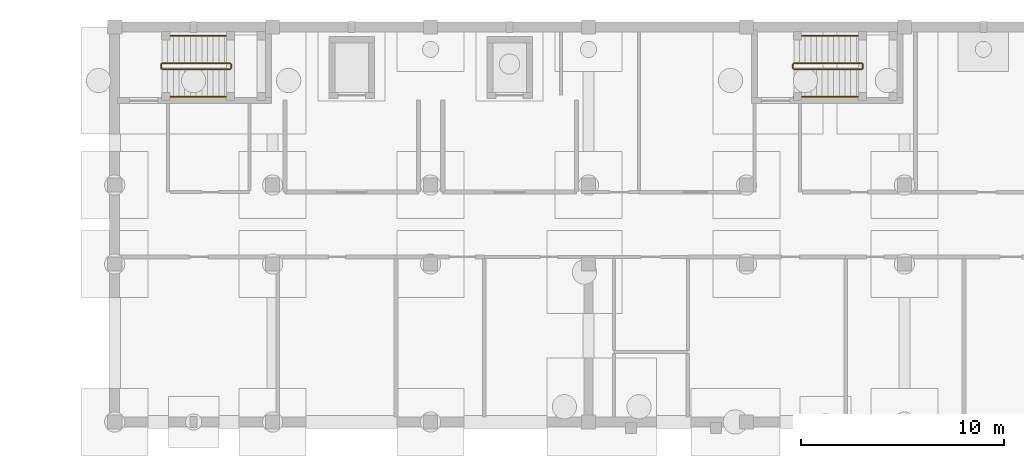
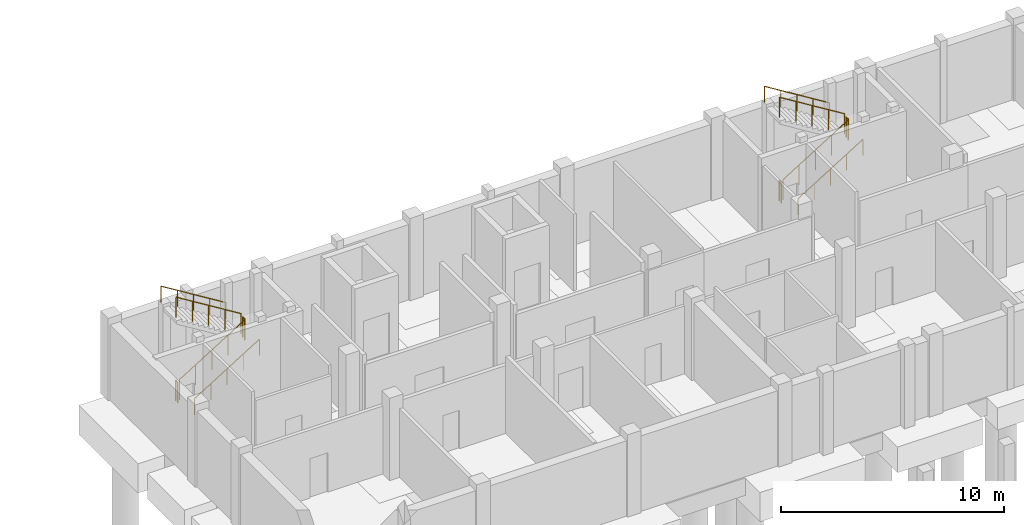
# One storey, part 23 of 24: 12 railings.
"""IFC4 building model written with IfcOpenShell, lengths in metres."""

from ifc_helpers import new_model, si_unit, direction, frame, origin, origin_2d, place, context, subcontext, project, spatial, circle, extrude, material, type_object, element, save


model = new_model("IFC4")

# Units and contexts
model_context = context("Model", 3, precision=1e-05, world=origin(), true_north=direction((0.0, 1.0)))
body_context = subcontext(model_context, "Body", "Model", "MODEL_VIEW")
ifc_project = project(units=[si_unit("LENGTHUNIT", "METRE"), si_unit("AREAUNIT", "SQUARE_METRE"), si_unit("VOLUMEUNIT", "CUBIC_METRE"), si_unit("PLANEANGLEUNIT", "RADIAN"), si_unit("MASSUNIT", "GRAM", prefix="KILO")], contexts=[model_context])

# Site, building, storey
site_placement = place(None, origin())
site = spatial("IfcSite", under=ifc_project, at=site_placement, CompositionType="ELEMENT")
building_placement = place(site_placement, origin())
building = spatial("IfcBuilding", under=site, at=building_placement, Name="Celorna Specialist Clinic", CompositionType="ELEMENT")
storey_placement = place(building_placement, frame((0.0, 0.0, -4.5)))
storey = spatial("IfcBuildingStorey", under=building, at=storey_placement, Name="B01", CompositionType="ELEMENT", Elevation=-4.5)

# Railings
ifc_material_1 = material(Name="Powder-coated steel S355", Category="steel")
railing_type_1 = type_object("IfcRailingType", Name="GR-01", PredefinedType="GUARDRAIL", material=ifc_material_1)
railing_1_placement = place(storey_placement, frame((49.139892578125, 113.919921875, 0.173095703125)))
element("IfcRailing", 1, at=railing_1_placement, inside=storey, type_object=railing_type_1, Name="B01 ST-01 stair guard 1", PredefinedType="GUARDRAIL", context=body_context, shape_type="SweptSolid", body=[
    extrude(circle(Radius=0.02392578125, at=origin_2d()), frame((0.0, 0.0, 1.09619140625), z_axis=(0.850623216509, 0.0, 0.525775754039), x_axis=(0.0, 1.0, 0.0)), (0.0, 0.0, 1.0), 3.9501953125),
    extrude(circle(Radius=0.02099609375, at=origin_2d()), origin(), (0.0, 0.0, 1.0), 1.072021484375),
    extrude(circle(Radius=0.02099609375, at=origin_2d()), frame((0.840087890625, 0.0, 0.519287109375)), (0.0, 0.0, 1.0), 1.072021484375),
    extrude(circle(Radius=0.02099609375, at=origin_2d()), frame((1.68017578125, 0.0, 1.03857421875)), (0.0, 0.0, 1.0), 1.072021484375),
    extrude(circle(Radius=0.02099609375, at=origin_2d()), frame((2.52001953125, 0.0, 1.5576171875)), (0.0, 0.0, 1.0), 1.072021484375),
    extrude(circle(Radius=0.02099609375, at=origin_2d()), frame((3.360107421875, 0.0, 2.076904296875)), (0.0, 0.0, 1.0), 1.072021484375),
])
railing_2_placement = place(storey_placement, frame((52.550048828125, 113.969970703125, 2.25)))
element("IfcRailing", 2, at=railing_2_placement, inside=storey, type_object=railing_type_1, Name="B01 ST-01 stair guard 2", PredefinedType="GUARDRAIL", context=body_context, shape_type="SweptSolid", body=[
    extrude(circle(Radius=0.02392578125, at=origin_2d()), frame((0.0, 0.0, 1.09619140625), z_axis=(0.0, 1.0, 0.0), x_axis=(-1.0, 0.0, 0.0)), (0.0, 0.0, 1.0), 0.199951171875),
    extrude(circle(Radius=0.02099609375, at=origin_2d()), origin(), (0.0, 0.0, 1.0), 1.072021484375),
    extrude(circle(Radius=0.02099609375, at=origin_2d()), frame((0.0, 0.199951171875, 0.0)), (0.0, 0.0, 1.0), 1.072021484375),
])
railing_3_placement = place(storey_placement, frame((52.5, 114.219970703125, 2.423095703125)))
element("IfcRailing", 3, at=railing_3_placement, inside=storey, type_object=railing_type_1, Name="B01 ST-01 stair guard 3", PredefinedType="GUARDRAIL", context=body_context, shape_type="SweptSolid", body=[
    extrude(circle(Radius=0.02392578125, at=origin_2d()), frame((0.0, 0.0, 1.09619140625), z_axis=(-0.850623216509, 0.0, 0.525775754039), x_axis=(0.0, -1.0, 0.0)), (0.0, 0.0, 1.0), 3.9501953125),
    extrude(circle(Radius=0.02099609375, at=origin_2d()), origin(), (0.0, 0.0, 1.0), 1.072021484375),
    extrude(circle(Radius=0.02099609375, at=origin_2d()), frame((-0.840087890625, 0.0, 0.519287109375)), (0.0, 0.0, 1.0), 1.072021484375),
    extrude(circle(Radius=0.02099609375, at=origin_2d()), frame((-1.68017578125, 0.0, 1.03857421875)), (0.0, 0.0, 1.0), 1.072021484375),
    extrude(circle(Radius=0.02099609375, at=origin_2d()), frame((-2.52001953125, 0.0, 1.5576171875)), (0.0, 0.0, 1.0), 1.072021484375),
    extrude(circle(Radius=0.02099609375, at=origin_2d()), frame((-3.360107421875, 0.0, 2.076904296875)), (0.0, 0.0, 1.0), 1.072021484375),
])
railing_4_placement = place(storey_placement, frame((49.090087890625, 113.969970703125, 0.0)))
element("IfcRailing", 4, at=railing_4_placement, inside=storey, type_object=railing_type_1, Name="B01 ST-01 stair guard 4", PredefinedType="GUARDRAIL", context=body_context, shape_type="SweptSolid", body=[
    extrude(circle(Radius=0.02392578125, at=origin_2d()), frame((0.0, 0.0, 1.09619140625), z_axis=(0.0, 1.0, 0.0), x_axis=(-1.0, 0.0, 0.0)), (0.0, 0.0, 1.0), 0.199951171875),
    extrude(circle(Radius=0.02099609375, at=origin_2d()), origin(), (0.0, 0.0, 1.0), 1.072021484375),
    extrude(circle(Radius=0.02099609375, at=origin_2d()), frame((0.0, 0.199951171875, 0.0)), (0.0, 0.0, 1.0), 1.072021484375),
])
railing_5_placement = place(storey_placement, frame((80.340087890625, 113.919921875, 0.173095703125)))
element("IfcRailing", 5, at=railing_5_placement, inside=storey, type_object=railing_type_1, Name="B01 ST-02 stair guard 1", PredefinedType="GUARDRAIL", context=body_context, shape_type="SweptSolid", body=[
    extrude(circle(Radius=0.02392578125, at=origin_2d()), frame((0.0, 0.0, 1.09619140625), z_axis=(0.850606129759, 0.0, 0.525803396734), x_axis=(0.0, 1.0, 0.0)), (0.0, 0.0, 1.0), 3.949951171875),
    extrude(circle(Radius=0.02099609375, at=origin_2d()), origin(), (0.0, 0.0, 1.0), 1.072021484375),
    extrude(circle(Radius=0.02099609375, at=origin_2d()), frame((0.83984375, 0.0, 0.519287109375)), (0.0, 0.0, 1.0), 1.072021484375),
    extrude(circle(Radius=0.02099609375, at=origin_2d()), frame((1.679931640625, 0.0, 1.03857421875)), (0.0, 0.0, 1.0), 1.072021484375),
    extrude(circle(Radius=0.02099609375, at=origin_2d()), frame((2.52001953125, 0.0, 1.5576171875)), (0.0, 0.0, 1.0), 1.072021484375),
    extrude(circle(Radius=0.02099609375, at=origin_2d()), frame((3.35986328125, 0.0, 2.076904296875)), (0.0, 0.0, 1.0), 1.072021484375),
])
railing_6_placement = place(storey_placement, frame((83.75, 113.969970703125, 2.25)))
element("IfcRailing", 6, at=railing_6_placement, inside=storey, type_object=railing_type_1, Name="B01 ST-02 stair guard 2", PredefinedType="GUARDRAIL", context=body_context, shape_type="SweptSolid", body=[
    extrude(circle(Radius=0.02392578125, at=origin_2d()), frame((0.0, 0.0, 1.09619140625), z_axis=(0.0, 1.0, 0.0), x_axis=(-1.0, 0.0, 0.0)), (0.0, 0.0, 1.0), 0.199951171875),
    extrude(circle(Radius=0.02099609375, at=origin_2d()), origin(), (0.0, 0.0, 1.0), 1.072021484375),
    extrude(circle(Radius=0.02099609375, at=origin_2d()), frame((0.0, 0.199951171875, 0.0)), (0.0, 0.0, 1.0), 1.072021484375),
])
railing_7_placement = place(storey_placement, frame((83.699951171875, 114.219970703125, 2.423095703125)))
element("IfcRailing", 7, at=railing_7_placement, inside=storey, type_object=railing_type_1, Name="B01 ST-02 stair guard 3", PredefinedType="GUARDRAIL", context=body_context, shape_type="SweptSolid", body=[
    extrude(circle(Radius=0.02392578125, at=origin_2d()), frame((0.0, 0.0, 1.09619140625), z_axis=(-0.850606129759, 0.0, 0.525803396734), x_axis=(0.0, -1.0, 0.0)), (0.0, 0.0, 1.0), 3.949951171875),
    extrude(circle(Radius=0.02099609375, at=origin_2d()), origin(), (0.0, 0.0, 1.0), 1.072021484375),
    extrude(circle(Radius=0.02099609375, at=origin_2d()), frame((-0.83984375, 0.0, 0.519287109375)), (0.0, 0.0, 1.0), 1.072021484375),
    extrude(circle(Radius=0.02099609375, at=origin_2d()), frame((-1.679931640625, 0.0, 1.03857421875)), (0.0, 0.0, 1.0), 1.072021484375),
    extrude(circle(Radius=0.02099609375, at=origin_2d()), frame((-2.52001953125, 0.0, 1.5576171875)), (0.0, 0.0, 1.0), 1.072021484375),
    extrude(circle(Radius=0.02099609375, at=origin_2d()), frame((-3.35986328125, 0.0, 2.076904296875)), (0.0, 0.0, 1.0), 1.072021484375),
])
railing_8_placement = place(storey_placement, frame((80.2900390625, 113.969970703125, 0.0)))
element("IfcRailing", 8, at=railing_8_placement, inside=storey, type_object=railing_type_1, Name="B01 ST-02 stair guard 4", PredefinedType="GUARDRAIL", context=body_context, shape_type="SweptSolid", body=[
    extrude(circle(Radius=0.02392578125, at=origin_2d()), frame((0.0, 0.0, 1.09619140625), z_axis=(0.0, 1.0, 0.0), x_axis=(-1.0, 0.0, 0.0)), (0.0, 0.0, 1.0), 0.199951171875),
    extrude(circle(Radius=0.02099609375, at=origin_2d()), origin(), (0.0, 0.0, 1.0), 1.072021484375),
    extrude(circle(Radius=0.02099609375, at=origin_2d()), frame((0.0, 0.199951171875, 0.0)), (0.0, 0.0, 1.0), 1.072021484375),
])
ifc_material_2 = material(Name="Brushed stainless steel handrail", Category="steel")
railing_type_2 = type_object("IfcRailingType", Name="HR-01", PredefinedType="HANDRAIL", material=ifc_material_2)
railing_9_placement = place(storey_placement, frame((49.139892578125, 112.570068359375, 0.173095703125)))
element("IfcRailing", 9, at=railing_9_placement, inside=storey, type_object=railing_type_2, Name="B01 ST-01 stair handrail 1", PredefinedType="HANDRAIL", context=body_context, shape_type="SweptSolid", body=[
    extrude(circle(Radius=0.02392578125, at=origin_2d()), frame((0.0, 0.0, 0.8759765625), z_axis=(0.850623216509, 0.0, 0.525775754039), x_axis=(0.0, 1.0, 0.0)), (0.0, 0.0, 1.0), 3.9501953125),
    extrude(circle(Radius=0.02099609375, at=origin_2d()), origin(), (0.0, 0.0, 1.0), 0.851806640625),
    extrude(circle(Radius=0.02099609375, at=origin_2d()), frame((0.840087890625, 0.0, 0.519287109375)), (0.0, 0.0, 1.0), 0.851806640625),
    extrude(circle(Radius=0.02099609375, at=origin_2d()), frame((1.68017578125, 0.0, 1.03857421875)), (0.0, 0.0, 1.0), 0.851806640625),
    extrude(circle(Radius=0.02099609375, at=origin_2d()), frame((2.52001953125, 0.0, 1.5576171875)), (0.0, 0.0, 1.0), 0.851806640625),
    extrude(circle(Radius=0.02099609375, at=origin_2d()), frame((3.360107421875, 0.0, 2.076904296875)), (0.0, 0.0, 1.0), 0.851806640625),
])
railing_10_placement = place(storey_placement, frame((52.5, 115.570068359375, 2.423095703125)))
element("IfcRailing", 10, at=railing_10_placement, inside=storey, type_object=railing_type_2, Name="B01 ST-01 stair handrail 2", PredefinedType="HANDRAIL", context=body_context, shape_type="SweptSolid", body=[
    extrude(circle(Radius=0.02392578125, at=origin_2d()), frame((0.0, 0.0, 0.8759765625), z_axis=(-0.850623216509, 0.0, 0.525775754039), x_axis=(0.0, -1.0, 0.0)), (0.0, 0.0, 1.0), 3.9501953125),
    extrude(circle(Radius=0.02099609375, at=origin_2d()), origin(), (0.0, 0.0, 1.0), 0.851806640625),
    extrude(circle(Radius=0.02099609375, at=origin_2d()), frame((-0.840087890625, 0.0, 0.519287109375)), (0.0, 0.0, 1.0), 0.851806640625),
    extrude(circle(Radius=0.02099609375, at=origin_2d()), frame((-1.68017578125, 0.0, 1.03857421875)), (0.0, 0.0, 1.0), 0.851806640625),
    extrude(circle(Radius=0.02099609375, at=origin_2d()), frame((-2.52001953125, 0.0, 1.5576171875)), (0.0, 0.0, 1.0), 0.851806640625),
    extrude(circle(Radius=0.02099609375, at=origin_2d()), frame((-3.360107421875, 0.0, 2.076904296875)), (0.0, 0.0, 1.0), 0.851806640625),
])
railing_11_placement = place(storey_placement, frame((80.340087890625, 112.570068359375, 0.173095703125)))
element("IfcRailing", 11, at=railing_11_placement, inside=storey, type_object=railing_type_2, Name="B01 ST-02 stair handrail 1", PredefinedType="HANDRAIL", context=body_context, shape_type="SweptSolid", body=[
    extrude(circle(Radius=0.02392578125, at=origin_2d()), frame((0.0, 0.0, 0.8759765625), z_axis=(0.850606129759, 0.0, 0.525803396734), x_axis=(0.0, 1.0, 0.0)), (0.0, 0.0, 1.0), 3.949951171875),
    extrude(circle(Radius=0.02099609375, at=origin_2d()), origin(), (0.0, 0.0, 1.0), 0.851806640625),
    extrude(circle(Radius=0.02099609375, at=origin_2d()), frame((0.83984375, 0.0, 0.519287109375)), (0.0, 0.0, 1.0), 0.851806640625),
    extrude(circle(Radius=0.02099609375, at=origin_2d()), frame((1.679931640625, 0.0, 1.03857421875)), (0.0, 0.0, 1.0), 0.851806640625),
    extrude(circle(Radius=0.02099609375, at=origin_2d()), frame((2.52001953125, 0.0, 1.5576171875)), (0.0, 0.0, 1.0), 0.851806640625),
    extrude(circle(Radius=0.02099609375, at=origin_2d()), frame((3.35986328125, 0.0, 2.076904296875)), (0.0, 0.0, 1.0), 0.851806640625),
])
railing_12_placement = place(storey_placement, frame((83.699951171875, 115.570068359375, 2.423095703125)))
element("IfcRailing", 12, at=railing_12_placement, inside=storey, type_object=railing_type_2, Name="B01 ST-02 stair handrail 2", PredefinedType="HANDRAIL", context=body_context, shape_type="SweptSolid", body=[
    extrude(circle(Radius=0.02392578125, at=origin_2d()), frame((0.0, 0.0, 0.8759765625), z_axis=(-0.850606129759, 0.0, 0.525803396734), x_axis=(0.0, -1.0, 0.0)), (0.0, 0.0, 1.0), 3.949951171875),
    extrude(circle(Radius=0.02099609375, at=origin_2d()), origin(), (0.0, 0.0, 1.0), 0.851806640625),
    extrude(circle(Radius=0.02099609375, at=origin_2d()), frame((-0.83984375, 0.0, 0.519287109375)), (0.0, 0.0, 1.0), 0.851806640625),
    extrude(circle(Radius=0.02099609375, at=origin_2d()), frame((-1.679931640625, 0.0, 1.03857421875)), (0.0, 0.0, 1.0), 0.851806640625),
    extrude(circle(Radius=0.02099609375, at=origin_2d()), frame((-2.52001953125, 0.0, 1.5576171875)), (0.0, 0.0, 1.0), 0.851806640625),
    extrude(circle(Radius=0.02099609375, at=origin_2d()), frame((-3.35986328125, 0.0, 2.076904296875)), (0.0, 0.0, 1.0), 0.851806640625),
])

save(model, "model.ifc")
